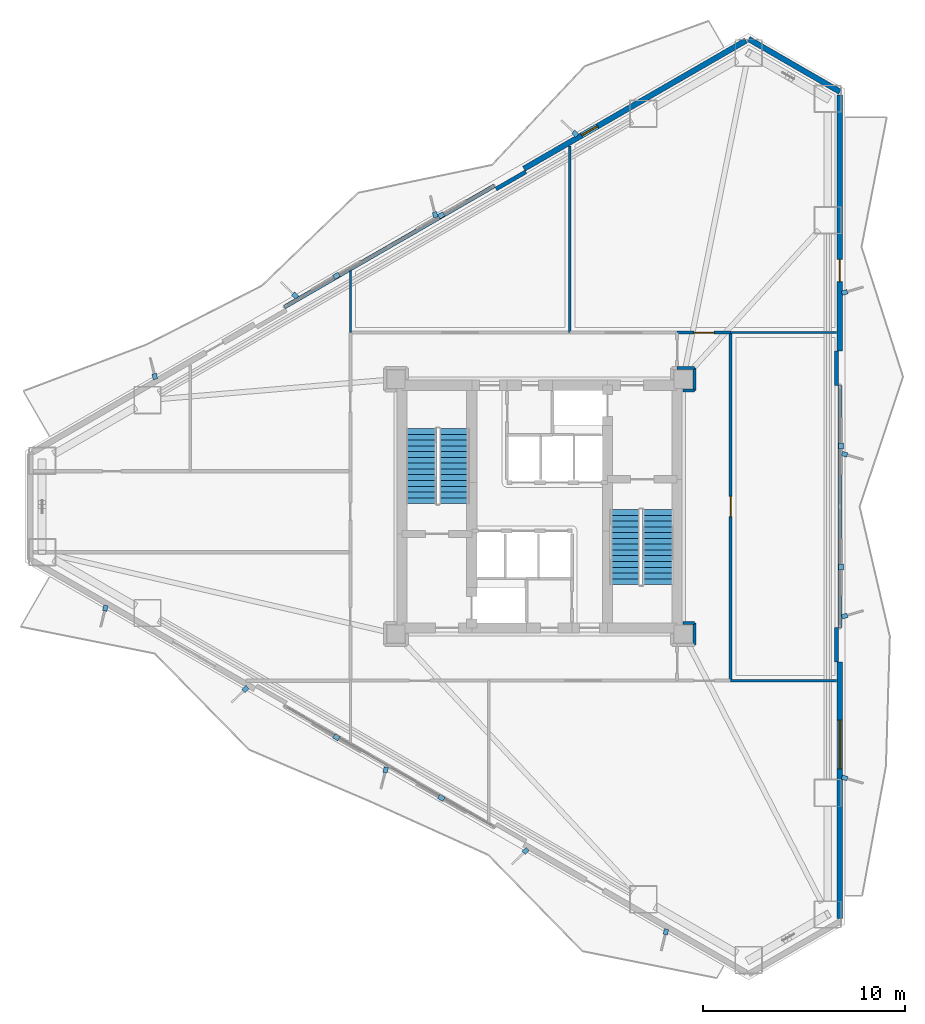
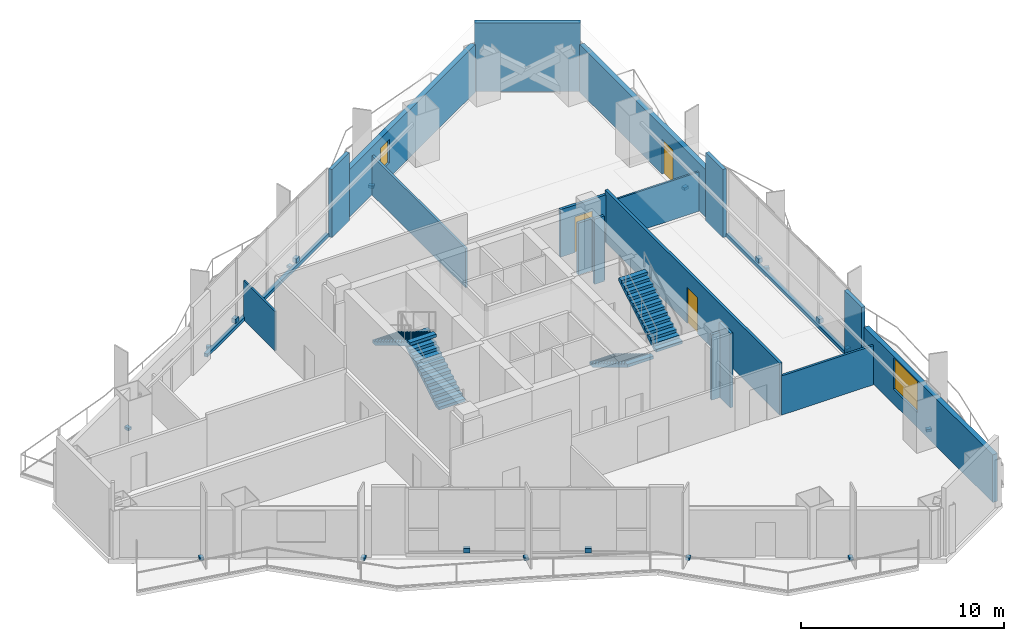
# One storey, part 14 of 16: 20 walls, 19 discrete accessories, 4 stair flights, 3 doors, 2 windows, 5 openings, 2 elements without a shape of their own.
"""IFC4 building model written with IfcOpenShell, lengths in metres."""

from ifc_helpers import new_model, si_unit, direction, frame, frame_2d, origin, origin_2d, place, context, subcontext, project, spatial, polyline, rectangle, outline, extrude, material, layer, layer_set, type_object, element, fill, aggregate, save


model = new_model("IFC4")

# Units and contexts
model_context = context("Model", 3, precision=1e-05, world=origin(), true_north=direction((0.0, 1.0)))
body_context = subcontext(model_context, "Body", "Model", "MODEL_VIEW")
ifc_project = project(units=[si_unit("LENGTHUNIT", "METRE"), si_unit("AREAUNIT", "SQUARE_METRE"), si_unit("VOLUMEUNIT", "CUBIC_METRE"), si_unit("PLANEANGLEUNIT", "RADIAN"), si_unit("MASSUNIT", "GRAM", prefix="KILO")], contexts=[model_context])

# Site, building, storey
site_placement = place(None, origin())
site = spatial("IfcSite", under=ifc_project, at=site_placement, CompositionType="ELEMENT")
building_placement = place(site_placement, origin())
building = spatial("IfcBuilding", under=site, at=building_placement, Name="Mersakhor Tower and Convention Hall", CompositionType="ELEMENT")
storey_placement = place(building_placement, frame((0.0, 0.0, 62.10009765625)))
storey = spatial("IfcBuildingStorey", under=building, at=storey_placement, Name="L17", CompositionType="ELEMENT", Elevation=62.10009765625)

# Wall
ifc_material_1 = material(Name="Precast concrete C45/55", Category="concrete")
ifc_layer_1 = layer(ifc_material_1, 0.27490234375)
ifc_layer_set_1 = layer_set([ifc_layer_1], Name="Precast concrete C45/55")
wall_type_1 = type_object("IfcWallType", Name="WL-EXT-275", PredefinedType="SOLIDWALL", material=ifc_layer_set_1)
wall_1_placement = place(storey_placement, frame((39.3369140625, 49.865234375, 0.0), z_axis=(0.0, 0.0, 1.0), x_axis=(0.866043601342, -0.499968479581, 0.0)))
element("IfcWall", 1, at=wall_1_placement, inside=storey, type_object=wall_type_1, Name="L17 Chamfer Braced Spandrel Wall C1", PredefinedType="SOLIDWALL", context=body_context, shape_type="SweptSolid", body=[
    extrude(rectangle(XDim=5.211181640625, YDim=0.27490234375, at=frame_2d((2.60546875, 0.0))), origin(), (0.0, 0.0, 1.0), 4.099853515625),
])

# Wall, opening, window
wall_2_placement = place(storey_placement, frame((28.231689453125, 43.453857421875, 0.0), z_axis=(0.0, 0.0, 1.0), x_axis=(0.86603192154, 0.499988710747, 0.0)))
wall_2 = element("IfcWall", 2, at=wall_2_placement, inside=storey, type_object=wall_type_1, Name="L17 Exterior Facade Wall F1-B3", PredefinedType="SOLIDWALL", context=body_context, shape_type="SweptSolid", body=[
    extrude(rectangle(XDim=12.673095703125, YDim=0.27490234375, at=frame_2d((6.33642578125, 0.0))), origin(), (0.0, 0.0, 1.0), 2.864990234375),
])
opening_1_placement = place(wall_2_placement, frame((3.2958984375, 0.0, 0.89990234375)))
opening_1 = element("IfcOpeningElement", 3, at=opening_1_placement, cuts=wall_2, Name="Opening W-06", PredefinedType="OPENING", context=body_context, shape_type="SweptSolid", body=[
    extrude(rectangle(XDim=0.89990234375, YDim=1.39990234375, at=frame_2d((0.449951171875, 0.699951171875))), frame((0.0, 0.1474609375, 0.0), z_axis=(0.0, -1.0, 0.0), x_axis=(1.0, 0.0, 0.0)), (0.0, 0.0, 1.0), 0.294921875),
])
ifc_material_2 = material(Name="Dark solar low-E glazed aluminium window", Category="aluminium")
window_type_1 = type_object("IfcWindowType", Name="WN-STD-090x140", PartitioningType="SINGLE_PANEL", PredefinedType="WINDOW", material=ifc_material_2)
window_1_placement = place(opening_1_placement, origin())
window_1 = element("IfcWindow", 4, at=window_1_placement, inside=storey, type_object=window_type_1, Name="L17 Facade Punched Window F1-B3", OverallHeight=1.39990234375, OverallWidth=0.89990234375, PartitioningType="SINGLE_PANEL", PredefinedType="WINDOW", context=body_context, shape_type="SweptSolid", body=[
    extrude(rectangle(XDim=0.89990234375, YDim=1.39990234375, at=frame_2d((0.449951171875, 0.699951171875))), frame((0.0, 0.030029296875, 0.0), z_axis=(0.0, -1.0, 0.0), x_axis=(1.0, 0.0, 0.0)), (0.0, 0.0, 1.0), 0.06005859375),
])
fill(opening_1, window_1)

# Wall, opening, door
wall_3_placement = place(storey_placement, frame((43.85009765625, 47.109619140625, 0.0), z_axis=(0.0, 0.0, 1.0), x_axis=(0.0, -1.0, 0.0)))
wall_3 = element("IfcWall", 5, at=wall_3_placement, inside=storey, type_object=wall_type_1, Name="L17 Exterior Facade Wall F2-B1", PredefinedType="SOLIDWALL", context=body_context, shape_type="SweptSolid", body=[
    extrude(rectangle(XDim=12.673095703125, YDim=0.27490234375, at=frame_2d((6.33642578125, 0.0))), origin(), (0.0, 0.0, 1.0), 2.864990234375),
])
opening_2_placement = place(wall_3_placement, frame((8.135986328125, 0.0, 0.0)))
opening_2 = element("IfcOpeningElement", 6, at=opening_2_placement, cuts=wall_3, Name="Opening BD-02", PredefinedType="OPENING", context=body_context, shape_type="SweptSolid", body=[
    extrude(rectangle(XDim=1.10009765625, YDim=2.10009765625, at=frame_2d((0.550048828125, 1.050048828125))), frame((0.0, 0.1474609375, 0.0), z_axis=(0.0, -1.0, 0.0), x_axis=(1.0, 0.0, 0.0)), (0.0, 0.0, 1.0), 0.294921875),
])
ifc_material_3 = material(Name="Thermally broken dark aluminium and safety glass", Category="aluminium")
door_type_1 = type_object("IfcDoorType", Name="DR-BAL-110x210", OperationType="NOTDEFINED", PredefinedType="DOOR", material=ifc_material_3)
door_1_placement = place(opening_2_placement, origin())
door_1 = element("IfcDoor", 7, at=door_1_placement, inside=storey, type_object=door_type_1, Name="L17 Balcony Terrace Door F2-B1", OperationType="SINGLE_SWING_RIGHT", OverallHeight=2.10009765625, OverallWidth=1.10009765625, PredefinedType="DOOR", context=body_context, shape_type="SweptSolid", body=[
    extrude(rectangle(XDim=1.10009765625, YDim=2.10009765625, at=frame_2d((0.550048828125, 1.050048828125))), frame((0.0, 0.02490234375, 0.0), z_axis=(0.0, -1.0, 0.0), x_axis=(1.0, 0.0, 0.0)), (0.0, 0.0, 1.0), 0.050048828125),
])
fill(opening_2, door_1)

# Wall, opening, window
wall_4_placement = place(storey_placement, frame((43.85009765625, 19.0634765625, 0.0), z_axis=(0.0, 0.0, 1.0), x_axis=(0.0, -1.0, 0.0)))
wall_4 = element("IfcWall", 8, at=wall_4_placement, inside=storey, type_object=wall_type_1, Name="L17 Exterior Facade Wall F2-B3", PredefinedType="SOLIDWALL", context=body_context, shape_type="SweptSolid", body=[
    extrude(rectangle(XDim=12.673095703125, YDim=0.27490234375, at=frame_2d((6.33642578125, 0.0))), origin(), (0.0, 0.0, 1.0), 2.864990234375),
])
opening_3_placement = place(wall_4_placement, frame((2.8759765625, 0.0, 0.89990234375)))
opening_3 = element("IfcOpeningElement", 9, at=opening_3_placement, cuts=wall_4, Name="Opening W-09", PredefinedType="OPENING", context=body_context, shape_type="SweptSolid", body=[
    extrude(rectangle(XDim=2.39990234375, YDim=1.889892578125, at=frame_2d((1.199951171875, 0.94482421875))), frame((0.0, 0.1474609375, 0.0), z_axis=(0.0, -1.0, 0.0), x_axis=(1.0, 0.0, 0.0)), (0.0, 0.0, 1.0), 0.294921875),
])
ifc_material_4 = material(Name="Dark solar low-E glazed aluminium window", Category="aluminium")
window_type_2 = type_object("IfcWindowType", Name="WN-COM-240x220", PartitioningType="SINGLE_PANEL", PredefinedType="WINDOW", material=ifc_material_4)
window_2_placement = place(opening_3_placement, origin())
window_2 = element("IfcWindow", 10, at=window_2_placement, inside=storey, type_object=window_type_2, Name="L17 Facade Punched Window F2-B3", OverallHeight=1.889892578125, OverallWidth=2.39990234375, PartitioningType="SINGLE_PANEL", PredefinedType="WINDOW", context=body_context, shape_type="SweptSolid", body=[
    extrude(rectangle(XDim=2.39990234375, YDim=1.889892578125, at=frame_2d((1.199951171875, 0.94482421875))), frame((0.0, 0.030029296875, 0.0), z_axis=(0.0, -1.0, 0.0), x_axis=(1.0, 0.0, 0.0)), (0.0, 0.0, 1.0), 0.06005859375),
])
fill(opening_3, window_2)

# Walls
ifc_material_5 = material(Name="Precast concrete C40/50", Category="concrete")
ifc_layer_2 = layer(ifc_material_5, 0.199951171875)
ifc_layer_set_2 = layer_set([ifc_layer_2], Name="Precast concrete C40/50")
wall_type_2 = type_object("IfcWallType", Name="WL-PAR-200", PredefinedType="PARAPET", material=ifc_layer_set_2)
wall_5_placement = place(storey_placement, frame((16.390380859375, 36.6171875, 0.0), z_axis=(0.0, 0.0, 1.0), x_axis=(0.866027351828, 0.499996625875, 0.0)))
element("IfcWall", 11, at=wall_5_placement, inside=storey, type_object=wall_type_2, Name="L17 Curtain Wall Upstand Sill F1-B2", PredefinedType="PARAPET", context=body_context, shape_type="SweptSolid", body=[
    extrude(rectangle(XDim=11.97314453125, YDim=0.199951171875, at=frame_2d((5.986572265625, 0.0))), origin(), (0.0, 0.0, 1.0), 0.199951171875),
])
wall_6_placement = place(storey_placement, frame((26.849609375, 42.447998046875, 0.0), z_axis=(0.0, 0.0, 1.0), x_axis=(0.86605165483, 0.499954529098, 0.0)))
element("IfcWall", 12, at=wall_6_placement, inside=storey, type_object=wall_type_2, Name="L17 Column Pier Cladding Wall F1-C2", PredefinedType="PARAPET", context=body_context, shape_type="SweptSolid", body=[
    extrude(rectangle(XDim=1.699951171875, YDim=0.199951171875, at=frame_2d((0.85009765625, 0.0))), origin(), (0.0, 0.0, 1.0), 4.099853515625),
])
wall_7_placement = place(storey_placement, frame((43.85009765625, 32.736572265625, 0.0), z_axis=(0.0, 0.0, 1.0), x_axis=(0.0, -1.0, 0.0)))
element("IfcWall", 13, at=wall_7_placement, inside=storey, type_object=wall_type_2, Name="L17 Curtain Wall Upstand Sill F2-B2", PredefinedType="PARAPET", context=body_context, shape_type="SweptSolid", body=[
    extrude(rectangle(XDim=11.97314453125, YDim=0.199951171875, at=frame_2d((5.986572265625, 0.0))), origin(), (0.0, 0.0, 1.0), 0.199951171875),
])
for number, where, z_axis, x_axis, name in (
    (14, (43.669921875, 34.4365234375, 0.0), (0.0, 0.0, 1.0), (0.0, -1.0, 0.0), "L17 Column Pier Cladding Wall F2-C1"),
    (15, (43.669921875, 20.763427734375, 0.0), (0.0, 0.0, 1.0), (0.0, -1.0, 0.0), "L17 Column Pier Cladding Wall F2-C2"),
):
    element("IfcWall", number, at=place(storey_placement, frame(where, z_axis=z_axis, x_axis=x_axis)), inside=storey, type_object=wall_type_2, Name=name, PredefinedType="PARAPET", context=body_context, shape_type="SweptSolid", body=[
        extrude(rectangle(XDim=1.699951171875, YDim=0.199951171875, at=frame_2d((0.85009765625, 0.0))), origin(), (0.0, 0.0, 1.0), 4.099853515625),
    ])
ifc_material_6 = material(Name="Lightweight gypsum partition", Category="other")
ifc_layer_3 = layer(ifc_material_6, 0.10009765625)
ifc_layer_set_3 = layer_set([ifc_layer_3], Name="Lightweight gypsum partition")
wall_type_3 = type_object("IfcWallType", Name="WL-PRT-100", PredefinedType="PARTITIONING", material=ifc_layer_set_3)
wall_8_placement = place(storey_placement, frame((19.64990234375, 35.35009765625, 0.0), z_axis=(0.0, 0.0, 1.0), x_axis=(0.0, 1.0, 0.0)))
element("IfcWall", 16, at=wall_8_placement, inside=storey, type_object=wall_type_3, Name="L17 Interior Partition Wall P-056", PredefinedType="PARTITIONING", context=body_context, shape_type="SweptSolid", body=[
    extrude(rectangle(XDim=3.1005859375, YDim=0.10009765625, at=frame_2d((1.55029296875, 0.0))), origin(), (0.0, 0.0, 1.0), 2.364990234375),
])
wall_9_placement = place(storey_placement, frame((43.6884765625, 35.35009765625, 0.0), z_axis=(0.0, 0.0, 1.0), x_axis=(-1.0, 0.0, 0.0)))
element("IfcWall", 17, at=wall_9_placement, inside=storey, type_object=wall_type_3, Name="L17 Interior Partition Wall P-058", PredefinedType="PARTITIONING", context=body_context, shape_type="SweptSolid", body=[
    extrude(rectangle(XDim=5.238525390625, YDim=0.10009765625, at=frame_2d((2.619140625, 0.0))), origin(), (0.0, 0.0, 1.0), 2.364990234375),
])
ifc_material_7 = material(Name="Gypsum board acoustic partition", Category="other")
ifc_layer_4 = layer(ifc_material_7, 0.125)
ifc_layer_set_4 = layer_set([ifc_layer_4], Name="Gypsum board acoustic partition")
wall_type_4 = type_object("IfcWallType", Name="WL-PRT-125", PredefinedType="PARTITIONING", material=ifc_layer_set_4)
wall_10_placement = place(storey_placement, frame((30.5, 44.576904296875, 0.0), z_axis=(0.0, 0.0, 1.0), x_axis=(0.0, -1.0, 0.0)))
element("IfcWall", 18, at=wall_10_placement, inside=storey, type_object=wall_type_4, Name="L17 Interior Partition Wall P-057", PredefinedType="PARTITIONING", context=body_context, shape_type="SweptSolid", body=[
    extrude(rectangle(XDim=9.226806640625, YDim=0.125, at=frame_2d((4.61328125, 0.0))), origin(), (0.0, 0.0, 1.0), 2.364990234375),
])
wall_11_placement = place(storey_placement, frame((43.6884765625, 18.14990234375, 0.0), z_axis=(0.0, 0.0, 1.0), x_axis=(-1.0, 0.0, 0.0)))
element("IfcWall", 19, at=wall_11_placement, inside=storey, type_object=wall_type_4, Name="L17 Interior Partition Wall P-059", PredefinedType="PARTITIONING", context=body_context, shape_type="SweptSolid", body=[
    extrude(rectangle(XDim=5.238525390625, YDim=0.125, at=frame_2d((2.619140625, 0.0))), origin(), (0.0, 0.0, 1.0), 2.364990234375),
])
ifc_material_8 = material(Name="Fire-rated gypsum board stud partition", Category="other")
ifc_layer_5 = layer(ifc_material_8, 0.14990234375)
ifc_layer_set_5 = layer_set([ifc_layer_5], Name="Fire-rated gypsum board stud partition")
wall_type_5 = type_object("IfcWallType", Name="WL-PRT-150", PredefinedType="PARTITIONING", material=ifc_layer_set_5)
for number, where, z_axis, x_axis, name in (
    (20, (36.64990234375, 21.0, 0.0), (0.0, 0.0, 1.0), (-1.0, 0.0, 0.0), "L17 Interior Partition Wall P-040"),
    (21, (36.10009765625, 32.5, 0.0), (0.0, 0.0, 1.0), (1.0, 0.0, 0.0), "L17 Interior Partition Wall P-041"),
):
    element("IfcWall", number, at=place(storey_placement, frame(where, z_axis=z_axis, x_axis=x_axis)), inside=storey, type_object=wall_type_5, Name=name, PredefinedType="PARTITIONING", context=body_context, shape_type="SweptSolid", body=[
        extrude(rectangle(XDim=0.5498046875, YDim=0.14990234375, at=frame_2d((0.27490234375, 0.0))), origin(), (0.0, 0.0, 1.0), 3.92822265625),
    ])
wall_12_placement = place(storey_placement, frame((36.64990234375, 32.5, 0.0), z_axis=(0.0, 0.0, 1.0), x_axis=(0.0, 1.0, 0.0)))
element("IfcWall", 22, at=wall_12_placement, inside=storey, type_object=wall_type_5, Name="L17 Interior Partition Wall P-042", PredefinedType="PARTITIONING", context=body_context, shape_type="SweptSolid", body=[
    extrude(rectangle(XDim=1.10009765625, YDim=0.14990234375, at=frame_2d((0.550048828125, 0.0))), origin(), (0.0, 0.0, 1.0), 3.114990234375),
])
wall_13_placement = place(storey_placement, frame((36.64990234375, 33.60009765625, 0.0), z_axis=(0.0, 0.0, 1.0), x_axis=(-1.0, 0.0, 0.0)))
element("IfcWall", 23, at=wall_13_placement, inside=storey, type_object=wall_type_5, Name="L17 Interior Partition Wall P-043", PredefinedType="PARTITIONING", context=body_context, shape_type="SweptSolid", body=[
    extrude(rectangle(XDim=0.849853515625, YDim=0.14990234375, at=frame_2d((0.4248046875, 0.0))), origin(), (0.0, 0.0, 1.0), 3.114990234375),
])

# Wall, opening, door
wall_14_placement = place(storey_placement, frame((35.800048828125, 35.35009765625, 0.0), z_axis=(0.0, 0.0, 1.0), x_axis=(1.0, 0.0, 0.0)))
wall_14 = element("IfcWall", 24, at=wall_14_placement, inside=storey, type_object=wall_type_5, Name="L17 Interior Partition Wall P-044", PredefinedType="PARTITIONING", context=body_context, shape_type="SweptSolid", body=[
    extrude(rectangle(XDim=2.64990234375, YDim=0.14990234375, at=frame_2d((1.324951171875, 0.0))), origin(), (0.0, 0.0, 1.0), 2.864990234375),
])
opening_4_placement = place(wall_14_placement, frame((0.824951171875, 0.0, 0.0)))
opening_4 = element("IfcOpeningElement", 25, at=opening_4_placement, cuts=wall_14, Name="Opening FD-01", PredefinedType="OPENING", context=body_context, shape_type="SweptSolid", body=[
    extrude(rectangle(XDim=1.0, YDim=2.14990234375, at=frame_2d((0.5, 1.074951171875))), frame((0.0, 0.0849609375, 0.0), z_axis=(0.0, -1.0, 0.0), x_axis=(1.0, 0.0, 0.0)), (0.0, 0.0, 1.0), 0.169921875),
])
ifc_material_9 = material(Name="Fire-rated hardwood leaf and painted steel frame", Category="steel")
door_type_2 = type_object("IfcDoorType", Name="DR-INT-FLT-100x215", OperationType="NOTDEFINED", PredefinedType="DOOR", material=ifc_material_9)
door_2_placement = place(opening_4_placement, origin())
door_2 = element("IfcDoor", 26, at=door_2_placement, inside=storey, type_object=door_type_2, Name="L17 L17 Sky-Lobby East Corridor to Aerobics and Yoga Studio Door", OperationType="SINGLE_SWING_LEFT", OverallHeight=2.14990234375, OverallWidth=1.0, PredefinedType="DOOR", context=body_context, shape_type="SweptSolid", body=[
    extrude(rectangle(XDim=1.0, YDim=2.14990234375, at=frame_2d((0.5, 1.074951171875))), frame((0.0, 0.02490234375, 0.0), z_axis=(0.0, -1.0, 0.0), x_axis=(1.0, 0.0, 0.0)), (0.0, 0.0, 1.0), 0.050048828125),
])
fill(opening_4, door_2)

wall_15_placement = place(storey_placement, frame((38.449951171875, 35.35009765625, 0.0), z_axis=(0.0, 0.0, 1.0), x_axis=(0.0, -1.0, 0.0)))
wall_15 = element("IfcWall", 27, at=wall_15_placement, inside=storey, type_object=wall_type_5, Name="L17 Interior Partition Wall P-045", PredefinedType="PARTITIONING", context=body_context, shape_type="SweptSolid", body=[
    extrude(rectangle(XDim=17.2001953125, YDim=0.14990234375, at=frame_2d((8.60009765625, 0.0))), origin(), (0.0, 0.0, 1.0), 3.114990234375),
])
opening_5_placement = place(wall_15_placement, frame((8.10009765625, 0.0, 0.0)))
opening_5 = element("IfcOpeningElement", 28, at=opening_5_placement, cuts=wall_15, Name="Opening FD-01", PredefinedType="OPENING", context=body_context, shape_type="SweptSolid", body=[
    extrude(rectangle(XDim=1.0, YDim=2.14990234375, at=frame_2d((0.5, 1.074951171875))), frame((0.0, 0.0849609375, 0.0), z_axis=(0.0, -1.0, 0.0), x_axis=(1.0, 0.0, 0.0)), (0.0, 0.0, 1.0), 0.169921875),
])
door_3_placement = place(opening_5_placement, origin())
door_3 = element("IfcDoor", 29, at=door_3_placement, inside=storey, type_object=door_type_2, Name="L17 L17 Sky-Lobby East Corridor to Mid-Low Transfer Lounge Door", OperationType="SINGLE_SWING_RIGHT", OverallHeight=2.14990234375, OverallWidth=1.0, PredefinedType="DOOR", context=body_context, shape_type="SweptSolid", body=[
    extrude(rectangle(XDim=1.0, YDim=2.14990234375, at=frame_2d((0.5, 1.074951171875))), frame((0.0, 0.02490234375, 0.0), z_axis=(0.0, -1.0, 0.0), x_axis=(1.0, 0.0, 0.0)), (0.0, 0.0, 1.0), 0.050048828125),
])
fill(opening_5, door_3)

# Wall
wall_16_placement = place(storey_placement, frame((36.64990234375, 19.89990234375, 0.0), z_axis=(0.0, 0.0, 1.0), x_axis=(0.0, 1.0, 0.0)))
element("IfcWall", 30, at=wall_16_placement, inside=storey, type_object=wall_type_5, Name="L17 Interior Partition Wall P-048", PredefinedType="PARTITIONING", context=body_context, shape_type="SweptSolid", body=[
    extrude(rectangle(XDim=1.10009765625, YDim=0.14990234375, at=frame_2d((0.550048828125, 0.0))), origin(), (0.0, 0.0, 1.0), 4.47998046875),
])

# Stair, stair flights
ifc_material_10 = material(Name="Concrete C45/55", Category="concrete")
stair_type = type_object("IfcStairType", Name="ST-TWR-28R", PredefinedType="HALF_TURN_STAIR", material=ifc_material_10)
stair_1_placement = place(storey_placement, origin())
stair_1 = element("IfcStair", 31, at=stair_1_placement, inside=storey, type_object=stair_type, Name="L17 Tower Protected Exit Stair ST-1", PredefinedType="HALF_TURN_STAIR")
ifc_material_11 = material(Name="Concrete C45/55", Category="concrete")
stair_flight_type = type_object("IfcStairFlightType", Name="SFL-TWR-28R", PredefinedType="STRAIGHT", material=ifc_material_11)
stair_flight_1_placement = place(storey_placement, frame((24.800048828125, 26.89990234375, 0.0), z_axis=(0.0, 0.0, 1.0), x_axis=(0.0, 1.0, 0.0)))
stair_flight_1 = element("IfcStairFlight", 32, at=stair_flight_1_placement, type_object=stair_flight_type, Name="ST-1 flight 1", NumberOfRisers=14, NumberOfTreads=13, PredefinedType="STRAIGHT", RiserHeight=0.171428571, TreadLength=0.285, context=body_context, shape_type="SweptSolid", body=[
    extrude(outline(polyline([(0.0, 0.0), (0.0, 0.17138671875), (0.284912109375, 0.17138671875), (0.284912109375, 0.3427734375), (0.570068359375, 0.3427734375), (0.570068359375, 0.514404296875), (0.85498046875, 0.514404296875), (0.85498046875, 0.685791015625), (1.139892578125, 0.685791015625), (1.139892578125, 0.857177734375), (1.425048828125, 0.857177734375), (1.425048828125, 1.028564453125), (1.7099609375, 1.028564453125), (1.7099609375, 1.199951171875), (1.9951171875, 1.199951171875), (1.9951171875, 1.371337890625), (2.280029296875, 1.371337890625), (2.280029296875, 1.54296875), (2.56494140625, 1.54296875), (2.56494140625, 1.71435546875), (2.85009765625, 1.71435546875), (2.85009765625, 1.8857421875), (3.135009765625, 1.8857421875), (3.135009765625, 2.05712890625), (3.419921875, 2.05712890625), (3.419921875, 2.228515625), (3.705078125, 2.228515625), (3.705078125, 2.39990234375), (3.705078125, 2.0537109375), (0.290771484375, 0.0), (0.0, 0.0)])), frame((0.0, 0.75, 0.0), z_axis=(0.0, -1.0, 0.0), x_axis=(1.0, 0.0, 0.0)), (0.0, 0.0, 1.0), 1.5),
])
stair_flight_2_placement = place(storey_placement, frame((23.14990234375, 30.60498046875, 2.39990234375), z_axis=(0.0, 0.0, 1.0), x_axis=(0.0, -1.0, 0.0)))
stair_flight_2 = element("IfcStairFlight", 33, at=stair_flight_2_placement, type_object=stair_flight_type, Name="ST-1 flight 2", NumberOfRisers=14, NumberOfTreads=13, PredefinedType="STRAIGHT", RiserHeight=0.171428571, TreadLength=0.285, context=body_context, shape_type="SweptSolid", body=[
    extrude(outline(polyline([(0.0, 0.0), (0.0, 0.17138671875), (0.284912109375, 0.17138671875), (0.284912109375, 0.3427734375), (0.570068359375, 0.3427734375), (0.570068359375, 0.514404296875), (0.85498046875, 0.514404296875), (0.85498046875, 0.685791015625), (1.139892578125, 0.685791015625), (1.139892578125, 0.857177734375), (1.425048828125, 0.857177734375), (1.425048828125, 1.028564453125), (1.7099609375, 1.028564453125), (1.7099609375, 1.199951171875), (1.9951171875, 1.199951171875), (1.9951171875, 1.371337890625), (2.280029296875, 1.371337890625), (2.280029296875, 1.54296875), (2.56494140625, 1.54296875), (2.56494140625, 1.71435546875), (2.85009765625, 1.71435546875), (2.85009765625, 1.8857421875), (3.135009765625, 1.8857421875), (3.135009765625, 2.05712890625), (3.419921875, 2.05712890625), (3.419921875, 2.228515625), (3.705078125, 2.228515625), (3.705078125, 2.39990234375), (3.705078125, 2.0537109375), (0.290771484375, 0.0), (0.0, 0.0)])), frame((0.0, 0.75, 0.0), z_axis=(0.0, -1.0, 0.0), x_axis=(1.0, 0.0, 0.0)), (0.0, 0.0, 1.0), 1.5),
])
aggregate(stair_1, [stair_flight_1, stair_flight_2])

stair_2_placement = place(storey_placement, origin())
stair_2 = element("IfcStair", 34, at=stair_2_placement, inside=storey, type_object=stair_type, Name="L17 Tower Protected Exit Stair ST-2", PredefinedType="HALF_TURN_STAIR")
stair_flight_3_placement = place(storey_placement, frame((33.199951171875, 26.60009765625, 0.0), z_axis=(0.0, 0.0, 1.0), x_axis=(0.0, -1.0, 0.0)))
stair_flight_3 = element("IfcStairFlight", 35, at=stair_flight_3_placement, type_object=stair_flight_type, Name="ST-2 flight 1", NumberOfRisers=14, NumberOfTreads=13, PredefinedType="STRAIGHT", RiserHeight=0.171428571, TreadLength=0.285, context=body_context, shape_type="SweptSolid", body=[
    extrude(outline(polyline([(0.0, 0.0), (0.0, 0.17138671875), (0.284912109375, 0.17138671875), (0.284912109375, 0.3427734375), (0.570068359375, 0.3427734375), (0.570068359375, 0.514404296875), (0.85498046875, 0.514404296875), (0.85498046875, 0.685791015625), (1.139892578125, 0.685791015625), (1.139892578125, 0.857177734375), (1.425048828125, 0.857177734375), (1.425048828125, 1.028564453125), (1.7099609375, 1.028564453125), (1.7099609375, 1.199951171875), (1.9951171875, 1.199951171875), (1.9951171875, 1.371337890625), (2.280029296875, 1.371337890625), (2.280029296875, 1.54296875), (2.56494140625, 1.54296875), (2.56494140625, 1.71435546875), (2.85009765625, 1.71435546875), (2.85009765625, 1.8857421875), (3.135009765625, 1.8857421875), (3.135009765625, 2.05712890625), (3.419921875, 2.05712890625), (3.419921875, 2.228515625), (3.705078125, 2.228515625), (3.705078125, 2.39990234375), (3.705078125, 2.0537109375), (0.290771484375, 0.0), (0.0, 0.0)])), frame((0.0, 0.75, 0.0), z_axis=(0.0, -1.0, 0.0), x_axis=(1.0, 0.0, 0.0)), (0.0, 0.0, 1.0), 1.5),
])
stair_flight_4_placement = place(storey_placement, frame((34.85009765625, 22.89501953125, 2.39990234375), z_axis=(0.0, 0.0, 1.0), x_axis=(0.0, 1.0, 0.0)))
stair_flight_4 = element("IfcStairFlight", 36, at=stair_flight_4_placement, type_object=stair_flight_type, Name="ST-2 flight 2", NumberOfRisers=14, NumberOfTreads=13, PredefinedType="STRAIGHT", RiserHeight=0.171428571, TreadLength=0.285, context=body_context, shape_type="SweptSolid", body=[
    extrude(outline(polyline([(0.0, 0.0), (0.0, 0.17138671875), (0.284912109375, 0.17138671875), (0.284912109375, 0.3427734375), (0.570068359375, 0.3427734375), (0.570068359375, 0.514404296875), (0.85498046875, 0.514404296875), (0.85498046875, 0.685791015625), (1.139892578125, 0.685791015625), (1.139892578125, 0.857177734375), (1.425048828125, 0.857177734375), (1.425048828125, 1.028564453125), (1.7099609375, 1.028564453125), (1.7099609375, 1.199951171875), (1.9951171875, 1.199951171875), (1.9951171875, 1.371337890625), (2.280029296875, 1.371337890625), (2.280029296875, 1.54296875), (2.56494140625, 1.54296875), (2.56494140625, 1.71435546875), (2.85009765625, 1.71435546875), (2.85009765625, 1.8857421875), (3.135009765625, 1.8857421875), (3.135009765625, 2.05712890625), (3.419921875, 2.05712890625), (3.419921875, 2.228515625), (3.705078125, 2.228515625), (3.705078125, 2.39990234375), (3.705078125, 2.0537109375), (0.290771484375, 0.0), (0.0, 0.0)])), frame((0.0, 0.75, 0.0), z_axis=(0.0, -1.0, 0.0), x_axis=(1.0, 0.0, 0.0)), (0.0, 0.0, 1.0), 1.5),
])
aggregate(stair_2, [stair_flight_3, stair_flight_4])

# Discrete accessories
ifc_material_12 = material(Name="Galvanised steel bracket", Category="steel")
ifc_layer_6 = layer(ifc_material_12, 0.02001953125)
ifc_layer_set_6 = layer_set([ifc_layer_6], Name="Galvanised steel bracket")
discrete_accessory_type = type_object("IfcDiscreteAccessoryType", Name="ACC-BRK-STL", PredefinedType="BRACKET", material=ifc_layer_set_6)
for number, where, z_axis, x_axis, name in (
    (37, (18.957763671875, 38.156982421875, 0.2900390625), (0.0, 0.0, 1.0), (0.866025403784, 0.5, 0.0), "L17 Solar Screen Outrigger Bracket BRK-1-1"),
    (38, (24.142333984375, 41.150390625, 0.2900390625), (0.0, 0.0, 1.0), (0.866025403784, 0.5, 0.0), "L17 Solar Screen Outrigger Bracket BRK-1-2"),
):
    element("IfcDiscreteAccessory", number, at=place(storey_placement, frame(where, z_axis=z_axis, x_axis=x_axis)), inside=storey, type_object=discrete_accessory_type, Name=name, PredefinedType="BRACKET", context=body_context, shape_type="SweptSolid", body=[
        extrude(rectangle(XDim=0.300048828125, YDim=0.239990234375, at=origin_2d()), origin(), (0.0, 0.0, 1.0), 0.260009765625),
    ])
for number, where, z_axis, x_axis, name in (
    (39, (9.981689453125, 33.1826171875, -0.02001953125), (0.0, 0.0, 1.0), (-0.2419218956, 0.970295726276, 0.0), "L17 Facade Fin Base Cleat Bracket FBRK-1-1"),
    (40, (16.909912109375, 37.1826171875, -0.02001953125), (0.0, 0.0, 1.0), (-0.719339800339, 0.694658370459, 0.0), "L17 Facade Fin Base Cleat Bracket FBRK-1-2"),
    (41, (23.838134765625, 41.1826171875, -0.02001953125), (0.0, 0.0, 1.0), (-0.2419218956, 0.970295726276, 0.0), "L17 Facade Fin Base Cleat Bracket FBRK-1-3"),
    (42, (30.766357421875, 45.1826171875, -0.02001953125), (0.0, 0.0, 1.0), (-0.719339800339, 0.694658370459, 0.0), "L17 Facade Fin Base Cleat Bracket FBRK-1-4"),
):
    element("IfcDiscreteAccessory", number, at=place(storey_placement, frame(where, z_axis=z_axis, x_axis=x_axis)), inside=storey, type_object=discrete_accessory_type, Name=name, PredefinedType="BRACKET", context=body_context, shape_type="SweptSolid", body=[
        extrude(rectangle(XDim=0.280029296875, YDim=0.219970703125, at=origin_2d()), origin(), (0.0, 0.0, 1.0), 0.159912109375),
    ])
for number, where, z_axis, x_axis, name in (
    (43, (43.89990234375, 29.743408203125, 0.2900390625), (0.0, 0.0, 1.0), (0.0, -1.0, 0.0), "L17 Solar Screen Outrigger Bracket BRK-2-1"),
    (44, (43.89990234375, 23.756591796875, 0.2900390625), (0.0, 0.0, 1.0), (0.0, -1.0, 0.0), "L17 Solar Screen Outrigger Bracket BRK-2-2"),
):
    element("IfcDiscreteAccessory", number, at=place(storey_placement, frame(where, z_axis=z_axis, x_axis=x_axis)), inside=storey, type_object=discrete_accessory_type, Name=name, PredefinedType="BRACKET", context=body_context, shape_type="SweptSolid", body=[
        extrude(rectangle(XDim=0.300048828125, YDim=0.239990234375, at=origin_2d()), origin(), (0.0, 0.0, 1.0), 0.260009765625),
    ])
for number, where, z_axis, x_axis, name in (
    (45, (44.080078125, 37.33740234375, -0.02001953125), (0.0, 0.0, 1.0), (0.961261695938, 0.275637355817, 0.0), "L17 Facade Fin Base Cleat Bracket FBRK-2-1"),
    (46, (44.080078125, 29.33740234375, -0.02001953125), (0.0, 0.0, 1.0), (0.961261695938, -0.275637355817, 0.0), "L17 Facade Fin Base Cleat Bracket FBRK-2-2"),
    (47, (44.080078125, 21.33740234375, -0.02001953125), (0.0, 0.0, 1.0), (0.961261695938, 0.275637355817, 0.0), "L17 Facade Fin Base Cleat Bracket FBRK-2-3"),
    (48, (44.080078125, 13.33740234375, -0.02001953125), (0.0, 0.0, 1.0), (0.961261695938, -0.275637355817, 0.0), "L17 Facade Fin Base Cleat Bracket FBRK-2-4"),
):
    element("IfcDiscreteAccessory", number, at=place(storey_placement, frame(where, z_axis=z_axis, x_axis=x_axis)), inside=storey, type_object=discrete_accessory_type, Name=name, PredefinedType="BRACKET", context=body_context, shape_type="SweptSolid", body=[
        extrude(rectangle(XDim=0.280029296875, YDim=0.219970703125, at=origin_2d()), origin(), (0.0, 0.0, 1.0), 0.159912109375),
    ])
for number, where, z_axis, x_axis, name in (
    (49, (24.14208984375, 12.349609375, 0.2900390625), (0.0, 0.0, 1.0), (-0.866025403784, 0.5, 0.0), "L17 Solar Screen Outrigger Bracket BRK-3-1"),
    (50, (18.957763671875, 15.3427734375, 0.2900390625), (0.0, 0.0, 1.0), (-0.866025403784, 0.5, 0.0), "L17 Solar Screen Outrigger Bracket BRK-3-2"),
):
    element("IfcDiscreteAccessory", number, at=place(storey_placement, frame(where, z_axis=z_axis, x_axis=x_axis)), inside=storey, type_object=discrete_accessory_type, Name=name, PredefinedType="BRACKET", context=body_context, shape_type="SweptSolid", body=[
        extrude(rectangle(XDim=0.300048828125, YDim=0.239990234375, at=origin_2d()), origin(), (0.0, 0.0, 1.0), 0.260009765625),
    ])
for number, where, z_axis, x_axis, name in (
    (51, (35.247802734375, 5.72998046875, -0.02001953125), (0.0, 0.0, 1.0), (-0.2419218956, -0.970295726276, 0.0), "L17 Facade Fin Base Cleat Bracket FBRK-3-1"),
    (52, (28.319580078125, 9.72998046875, -0.02001953125), (0.0, 0.0, 1.0), (-0.719339800339, -0.694658370459, 0.0), "L17 Facade Fin Base Cleat Bracket FBRK-3-2"),
    (53, (21.391357421875, 13.72998046875, -0.02001953125), (0.0, 0.0, 1.0), (-0.2419218956, -0.970295726276, 0.0), "L17 Facade Fin Base Cleat Bracket FBRK-3-3"),
    (54, (14.463134765625, 17.72998046875, -0.02001953125), (0.0, 0.0, 1.0), (-0.719339800339, -0.694658370459, 0.0), "L17 Facade Fin Base Cleat Bracket FBRK-3-4"),
    (55, (7.534912109375, 21.72998046875, -0.02001953125), (0.0, 0.0, 1.0), (-0.2419218956, -0.970295726276, 0.0), "L17 Facade Fin Base Cleat Bracket FBRK-3-5"),
):
    element("IfcDiscreteAccessory", number, at=place(storey_placement, frame(where, z_axis=z_axis, x_axis=x_axis)), inside=storey, type_object=discrete_accessory_type, Name=name, PredefinedType="BRACKET", context=body_context, shape_type="SweptSolid", body=[
        extrude(rectangle(XDim=0.280029296875, YDim=0.219970703125, at=origin_2d()), origin(), (0.0, 0.0, 1.0), 0.159912109375),
    ])

save(model, "model.ifc")
